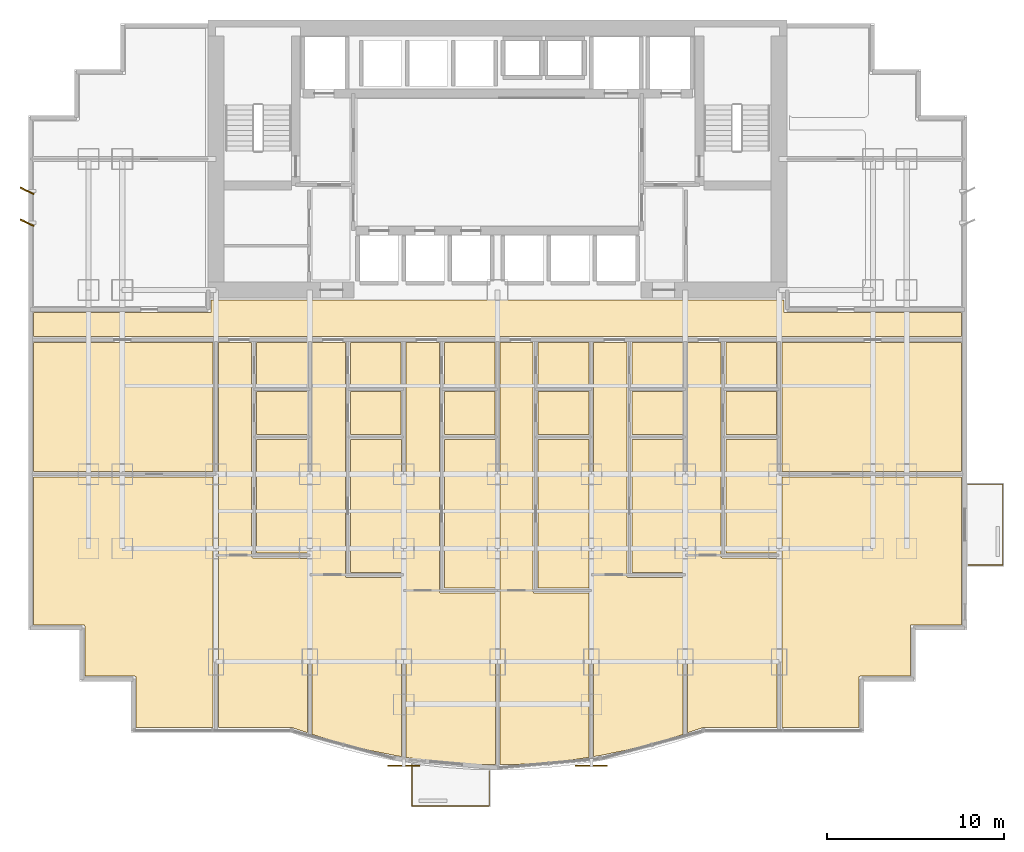
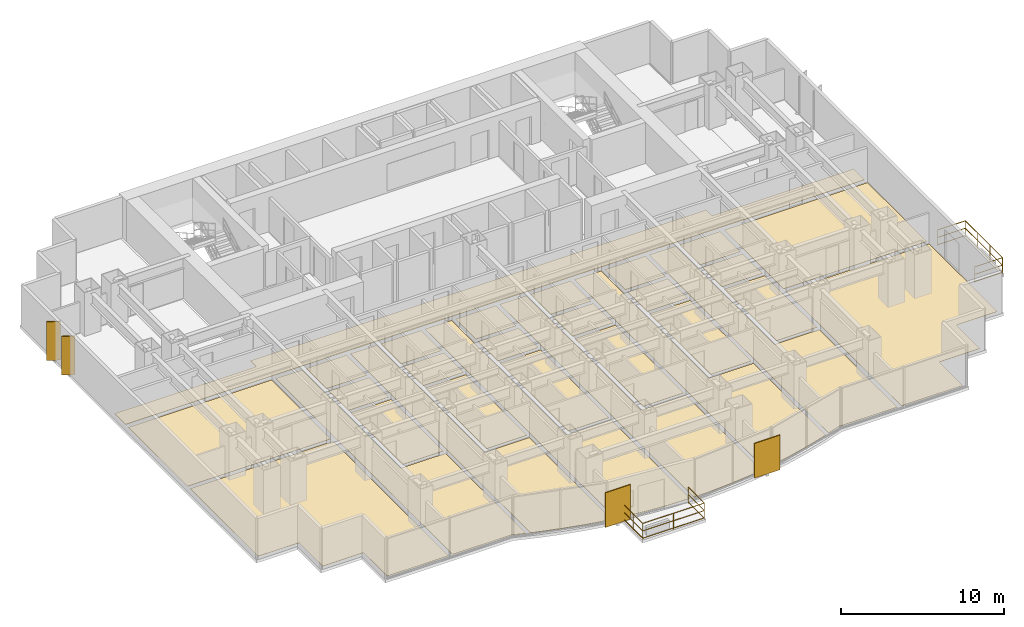
# One storey, part 9 of 10: 29 coverings, 4 shading devices, 2 railings.
"""IFC4 building model written with IfcOpenShell, lengths in metres."""

from ifc_helpers import new_model, si_unit, direction, frame, origin, origin_2d, place, context, subcontext, project, spatial, polyline, rectangle, circle, outline, extrude, source, transform, mapped, material, layer, layer_set, type_object, element, save


model = new_model("IFC4")

# Units and contexts
model_context = context("Model", 3, precision=1e-05, world=origin(), true_north=direction((0.0, 1.0)))
body_context = subcontext(model_context, "Body", "Model", "MODEL_VIEW")
ifc_project = project(units=[si_unit("LENGTHUNIT", "METRE"), si_unit("AREAUNIT", "SQUARE_METRE"), si_unit("VOLUMEUNIT", "CUBIC_METRE"), si_unit("PLANEANGLEUNIT", "RADIAN"), si_unit("MASSUNIT", "GRAM", prefix="KILO")], contexts=[model_context])

# Site, building, storey
site_placement = place(None, origin())
site = spatial("IfcSite", under=ifc_project, at=site_placement, CompositionType="ELEMENT")
building_placement = place(site_placement, origin())
building = spatial("IfcBuilding", under=site, at=building_placement, Name="Qianlan Lanfeng Residences", CompositionType="ELEMENT")
storey_placement = place(building_placement, frame((0.0, 0.0, 30.800048828125)))
storey = spatial("IfcBuildingStorey", under=building, at=storey_placement, Name="L07", CompositionType="ELEMENT", Elevation=30.800048828125)

# Coverings
ifc_material_1 = material(Name="Honed Taitung Granite Stone Flooring", Category="masonry")
ifc_layer_1 = layer(ifc_material_1, 0.030029296875)
ifc_layer_set_1 = layer_set([ifc_layer_1], Name="Honed Taitung Granite Stone Flooring")
covering_type_1 = type_object("IfcCoveringType", Name="FLR-STN-30", PredefinedType="FLOORING", material=ifc_layer_set_1)
covering_1_placement = place(storey_placement, origin())
element("IfcCovering", 1, at=covering_1_placement, inside=storey, type_object=covering_type_1, Name="L07 Residential Corridor Floor Finish", PredefinedType="FLOORING", context=body_context, shape_type="SweptSolid", body=[
    extrude(outline(polyline([(0.2900390625, 22.580078125), (52.7099609375, 22.580078125), (52.7099609375, 23.919921875), (42.739990234375, 23.919921875), (42.73291015625, 23.919921875), (42.72607421875, 23.9208984375), (42.719970703125, 23.923095703125), (42.712890625, 23.925048828125), (42.70703125, 23.927978515625), (42.700927734375, 23.931884765625), (42.696044921875, 23.93603515625), (42.69091796875, 23.94091796875), (42.68603515625, 23.946044921875), (42.681884765625, 23.950927734375), (42.677978515625, 23.95703125), (42.675048828125, 23.962890625), (42.673095703125, 23.969970703125), (42.6708984375, 23.97607421875), (42.669921875, 23.98291015625), (42.669921875, 23.989990234375), (42.669921875, 24.64990234375), (10.330078125, 24.64990234375), (10.330078125, 23.989990234375), (10.330078125, 23.98291015625), (10.3291015625, 23.97607421875), (10.326904296875, 23.969970703125), (10.324951171875, 23.962890625), (10.322021484375, 23.95703125), (10.318115234375, 23.950927734375), (10.31396484375, 23.946044921875), (10.30908203125, 23.94091796875), (10.303955078125, 23.93603515625), (10.299072265625, 23.931884765625), (10.29296875, 23.927978515625), (10.287109375, 23.925048828125), (10.280029296875, 23.923095703125), (10.27392578125, 23.9208984375), (10.26708984375, 23.919921875), (10.260009765625, 23.919921875), (0.2900390625, 23.919921875), (0.2900390625, 22.580078125)])), origin(), (0.0, 0.0, 1.0), 0.030029296875),
])
ifc_material_2 = material(Name="Slip-Resistant Porcelain Tile Flooring")
ifc_layer_2 = layer(ifc_material_2, 0.02001953125)
ifc_layer_set_2 = layer_set([ifc_layer_2], Name="Slip-Resistant Porcelain Tile Flooring")
covering_type_2 = type_object("IfcCoveringType", Name="FLR-TIL-20", PredefinedType="FLOORING", material=ifc_layer_set_2)
covering_2_placement = place(storey_placement, origin())
element("IfcCovering", 2, at=covering_2_placement, inside=storey, type_object=covering_type_2, Name="L07 Kitchen Floor Finish", PredefinedType="FLOORING", context=body_context, shape_type="SweptSolid", body=[
    extrude(outline(polyline([(12.889892578125, 17.0400390625), (15.760009765625, 17.0400390625), (15.760009765625, 19.4599609375), (12.889892578125, 19.4599609375), (12.889892578125, 17.0400390625)])), origin(), (0.0, 0.0, 1.0), 0.02001953125),
])
covering_3_placement = place(storey_placement, origin())
element("IfcCovering", 3, at=covering_3_placement, inside=storey, type_object=covering_type_2, Name="L07 Bathroom Floor Finish", PredefinedType="FLOORING", context=body_context, shape_type="SweptSolid", body=[
    extrude(outline(polyline([(12.889892578125, 19.739990234375), (15.760009765625, 19.739990234375), (15.760009765625, 22.22998046875), (12.889892578125, 22.22998046875), (12.889892578125, 19.739990234375)])), origin(), (0.0, 0.0, 1.0), 0.02001953125),
])
covering_4_placement = place(storey_placement, origin())
element("IfcCovering", 4, at=covering_4_placement, inside=storey, type_object=covering_type_2, Name="L07 Kitchen Floor Finish", PredefinedType="FLOORING", context=body_context, shape_type="SweptSolid", body=[
    extrude(outline(polyline([(18.18994140625, 17.0400390625), (21.06005859375, 17.0400390625), (21.06005859375, 19.4599609375), (18.18994140625, 19.4599609375), (18.18994140625, 17.0400390625)])), origin(), (0.0, 0.0, 1.0), 0.02001953125),
])
covering_5_placement = place(storey_placement, origin())
element("IfcCovering", 5, at=covering_5_placement, inside=storey, type_object=covering_type_2, Name="L07 Bathroom Floor Finish", PredefinedType="FLOORING", context=body_context, shape_type="SweptSolid", body=[
    extrude(outline(polyline([(18.18994140625, 19.739990234375), (21.06005859375, 19.739990234375), (21.06005859375, 22.22998046875), (18.18994140625, 22.22998046875), (18.18994140625, 19.739990234375)])), origin(), (0.0, 0.0, 1.0), 0.02001953125),
])
covering_6_placement = place(storey_placement, origin())
element("IfcCovering", 6, at=covering_6_placement, inside=storey, type_object=covering_type_2, Name="L07 Kitchen Floor Finish", PredefinedType="FLOORING", context=body_context, shape_type="SweptSolid", body=[
    extrude(outline(polyline([(23.489990234375, 17.0400390625), (26.360107421875, 17.0400390625), (26.360107421875, 19.4599609375), (23.489990234375, 19.4599609375), (23.489990234375, 17.0400390625)])), origin(), (0.0, 0.0, 1.0), 0.02001953125),
])
covering_7_placement = place(storey_placement, origin())
element("IfcCovering", 7, at=covering_7_placement, inside=storey, type_object=covering_type_2, Name="L07 Bathroom Floor Finish", PredefinedType="FLOORING", context=body_context, shape_type="SweptSolid", body=[
    extrude(outline(polyline([(23.489990234375, 19.739990234375), (26.360107421875, 19.739990234375), (26.360107421875, 22.22998046875), (23.489990234375, 22.22998046875), (23.489990234375, 19.739990234375)])), origin(), (0.0, 0.0, 1.0), 0.02001953125),
])
covering_8_placement = place(storey_placement, origin())
element("IfcCovering", 8, at=covering_8_placement, inside=storey, type_object=covering_type_2, Name="L07 Kitchen Floor Finish", PredefinedType="FLOORING", context=body_context, shape_type="SweptSolid", body=[
    extrude(outline(polyline([(28.7900390625, 17.0400390625), (31.659912109375, 17.0400390625), (31.659912109375, 19.4599609375), (28.7900390625, 19.4599609375), (28.7900390625, 17.0400390625)])), origin(), (0.0, 0.0, 1.0), 0.02001953125),
])
covering_9_placement = place(storey_placement, origin())
element("IfcCovering", 9, at=covering_9_placement, inside=storey, type_object=covering_type_2, Name="L07 Bathroom Floor Finish", PredefinedType="FLOORING", context=body_context, shape_type="SweptSolid", body=[
    extrude(outline(polyline([(28.7900390625, 19.739990234375), (31.659912109375, 19.739990234375), (31.659912109375, 22.22998046875), (28.7900390625, 22.22998046875), (28.7900390625, 19.739990234375)])), origin(), (0.0, 0.0, 1.0), 0.02001953125),
])
covering_10_placement = place(storey_placement, origin())
element("IfcCovering", 10, at=covering_10_placement, inside=storey, type_object=covering_type_2, Name="L07 Kitchen Floor Finish", PredefinedType="FLOORING", context=body_context, shape_type="SweptSolid", body=[
    extrude(outline(polyline([(34.090087890625, 17.0400390625), (36.9599609375, 17.0400390625), (36.9599609375, 19.4599609375), (34.090087890625, 19.4599609375), (34.090087890625, 17.0400390625)])), origin(), (0.0, 0.0, 1.0), 0.02001953125),
])
covering_11_placement = place(storey_placement, origin())
element("IfcCovering", 11, at=covering_11_placement, inside=storey, type_object=covering_type_2, Name="L07 Bathroom Floor Finish", PredefinedType="FLOORING", context=body_context, shape_type="SweptSolid", body=[
    extrude(outline(polyline([(34.090087890625, 19.739990234375), (36.9599609375, 19.739990234375), (36.9599609375, 22.22998046875), (34.090087890625, 22.22998046875), (34.090087890625, 19.739990234375)])), origin(), (0.0, 0.0, 1.0), 0.02001953125),
])
covering_12_placement = place(storey_placement, origin())
element("IfcCovering", 12, at=covering_12_placement, inside=storey, type_object=covering_type_2, Name="L07 Kitchen Floor Finish", PredefinedType="FLOORING", context=body_context, shape_type="SweptSolid", body=[
    extrude(outline(polyline([(39.389892578125, 17.0400390625), (42.260009765625, 17.0400390625), (42.260009765625, 19.4599609375), (39.389892578125, 19.4599609375), (39.389892578125, 17.0400390625)])), origin(), (0.0, 0.0, 1.0), 0.02001953125),
])
covering_13_placement = place(storey_placement, origin())
element("IfcCovering", 13, at=covering_13_placement, inside=storey, type_object=covering_type_2, Name="L07 Bathroom Floor Finish", PredefinedType="FLOORING", context=body_context, shape_type="SweptSolid", body=[
    extrude(outline(polyline([(39.389892578125, 19.739990234375), (42.260009765625, 19.739990234375), (42.260009765625, 22.22998046875), (39.389892578125, 22.22998046875), (39.389892578125, 19.739990234375)])), origin(), (0.0, 0.0, 1.0), 0.02001953125),
])
ifc_material_3 = material(Name="Engineered Smoked Oak Timber Flooring", Category="wood")
ifc_layer_3 = layer(ifc_material_3, 0.02197265625)
ifc_layer_set_3 = layer_set([ifc_layer_3], Name="Engineered Smoked Oak Timber Flooring")
covering_type_3 = type_object("IfcCoveringType", Name="FLR-TIM-22", PredefinedType="FLOORING", material=ifc_layer_set_3)
covering_14_placement = place(storey_placement, origin())
element("IfcCovering", 14, at=covering_14_placement, inside=storey, type_object=covering_type_3, Name="L07 Studio Living Room Floor Finish", PredefinedType="FLOORING", context=body_context, shape_type="SweptSolid", body=[
    extrude(outline(polyline([(15.77001953125, 0.195068359375), (15.77001953125, 10.080078125), (12.679931640625, 10.080078125), (12.673095703125, 10.080078125), (12.666015625, 10.0810546875), (12.659912109375, 10.0830078125), (12.653076171875, 10.0849609375), (12.64697265625, 10.087890625), (12.64111328125, 10.092041015625), (12.635986328125, 10.095947265625), (12.631103515625, 10.10107421875), (12.6259765625, 10.10595703125), (12.6220703125, 10.111083984375), (12.617919921875, 10.116943359375), (12.614990234375, 10.123046875), (12.613037109375, 10.1298828125), (12.611083984375, 10.135986328125), (12.610107421875, 10.14306640625), (12.610107421875, 10.14990234375), (12.610107421875, 22.22998046875), (10.72998046875, 22.22998046875), (10.72998046875, 0.489990234375), (14.885986328125, 0.489990234375), (14.89404296875, 0.489990234375), (14.90087890625, 0.488037109375), (14.908935546875, 0.486083984375), (15.77001953125, 0.195068359375)])), origin(), (0.0, 0.0, 1.0), 0.02197265625),
])
covering_15_placement = place(storey_placement, origin())
element("IfcCovering", 15, at=covering_15_placement, inside=storey, type_object=covering_type_3, Name="L07 Villa Family Sitting Room Floor Finish", PredefinedType="FLOORING", context=body_context, shape_type="SweptSolid", body=[
    extrude(outline(polyline([(12.889892578125, 16.760009765625), (12.889892578125, 10.360107421875), (15.77001953125, 10.360107421875), (15.77001953125, 16.760009765625), (12.889892578125, 16.760009765625)])), origin(), (0.0, 0.0, 1.0), 0.02197265625),
])
covering_16_placement = place(storey_placement, origin())
element("IfcCovering", 16, at=covering_16_placement, inside=storey, type_object=covering_type_3, Name="L07 Studio Living Room Floor Finish", PredefinedType="FLOORING", context=body_context, shape_type="SweptSolid", body=[
    extrude(outline(polyline([(21.070068359375, -1.14404296875), (21.070068359375, 8.971923828125), (17.97998046875, 8.971923828125), (17.972900390625, 8.971923828125), (17.966064453125, 8.972900390625), (17.9599609375, 8.97509765625), (17.952880859375, 8.97705078125), (17.947021484375, 8.97998046875), (17.94091796875, 8.98388671875), (17.93603515625, 8.988037109375), (17.930908203125, 8.992919921875), (17.926025390625, 8.998046875), (17.922119140625, 9.0029296875), (17.91796875, 9.009033203125), (17.9150390625, 9.014892578125), (17.9130859375, 9.02197265625), (17.910888671875, 9.028076171875), (17.909912109375, 9.034912109375), (17.909912109375, 9.0419921875), (17.909912109375, 22.22998046875), (16.030029296875, 22.22998046875), (16.030029296875, 0.10693359375), (16.39306640625, -0.014892578125), (17.837890625, -0.43896484375), (19.282958984375, -0.797119140625), (20.72607421875, -1.090087890625), (21.070068359375, -1.14404296875)])), origin(), (0.0, 0.0, 1.0), 0.02197265625),
])
covering_17_placement = place(storey_placement, origin())
element("IfcCovering", 17, at=covering_17_placement, inside=storey, type_object=covering_type_3, Name="L07 Villa Family Sitting Room Floor Finish", PredefinedType="FLOORING", context=body_context, shape_type="SweptSolid", body=[
    extrude(outline(polyline([(18.18994140625, 16.760009765625), (18.18994140625, 9.251953125), (21.070068359375, 9.251953125), (21.070068359375, 16.760009765625), (18.18994140625, 16.760009765625)])), origin(), (0.0, 0.0, 1.0), 0.02197265625),
])
covering_18_placement = place(storey_placement, origin())
element("IfcCovering", 18, at=covering_18_placement, inside=storey, type_object=covering_type_3, Name="L07 Studio Living Room Floor Finish", PredefinedType="FLOORING", context=body_context, shape_type="SweptSolid", body=[
    extrude(outline(polyline([(26.3701171875, -1.60693359375), (26.3701171875, 8.093994140625), (23.280029296875, 8.093994140625), (23.27294921875, 8.093994140625), (23.26611328125, 8.094970703125), (23.260009765625, 8.096923828125), (23.2529296875, 8.09912109375), (23.2470703125, 8.10205078125), (23.240966796875, 8.10595703125), (23.236083984375, 8.110107421875), (23.23095703125, 8.114990234375), (23.22607421875, 8.1201171875), (23.221923828125, 8.125), (23.218017578125, 8.131103515625), (23.215087890625, 8.136962890625), (23.212890625, 8.14404296875), (23.2109375, 8.14990234375), (23.2099609375, 8.156982421875), (23.2099609375, 8.1640625), (23.2099609375, 22.22998046875), (21.330078125, 22.22998046875), (21.330078125, -1.18505859375), (22.169921875, -1.318115234375), (23.613037109375, -1.47998046875), (25.056884765625, -1.576904296875), (26.3701171875, -1.60693359375)])), origin(), (0.0, 0.0, 1.0), 0.02197265625),
])
covering_19_placement = place(storey_placement, origin())
element("IfcCovering", 19, at=covering_19_placement, inside=storey, type_object=covering_type_3, Name="L07 Villa Family Sitting Room Floor Finish", PredefinedType="FLOORING", context=body_context, shape_type="SweptSolid", body=[
    extrude(outline(polyline([(23.489990234375, 16.760009765625), (23.489990234375, 8.3740234375), (26.3701171875, 8.3740234375), (26.3701171875, 16.760009765625), (23.489990234375, 16.760009765625)])), origin(), (0.0, 0.0, 1.0), 0.02197265625),
])
covering_20_placement = place(storey_placement, origin())
element("IfcCovering", 20, at=covering_20_placement, inside=storey, type_object=covering_type_3, Name="L07 Studio Living Room Floor Finish", PredefinedType="FLOORING", context=body_context, shape_type="SweptSolid", body=[
    extrude(outline(polyline([(31.669921875, -1.18505859375), (31.669921875, 8.093994140625), (28.580078125, 8.093994140625), (28.572998046875, 8.093994140625), (28.56591796875, 8.094970703125), (28.56005859375, 8.096923828125), (28.552978515625, 8.09912109375), (28.547119140625, 8.10205078125), (28.541015625, 8.10595703125), (28.535888671875, 8.110107421875), (28.531005859375, 8.114990234375), (28.52587890625, 8.1201171875), (28.52197265625, 8.125), (28.51806640625, 8.131103515625), (28.514892578125, 8.136962890625), (28.512939453125, 8.14404296875), (28.510986328125, 8.14990234375), (28.510009765625, 8.156982421875), (28.510009765625, 8.1640625), (28.510009765625, 22.22998046875), (26.6298828125, 22.22998046875), (26.6298828125, -1.60693359375), (27.943115234375, -1.576904296875), (29.385986328125, -1.47998046875), (30.830078125, -1.318115234375), (31.669921875, -1.18505859375)])), origin(), (0.0, 0.0, 1.0), 0.02197265625),
])
covering_21_placement = place(storey_placement, origin())
element("IfcCovering", 21, at=covering_21_placement, inside=storey, type_object=covering_type_3, Name="L07 Villa Family Sitting Room Floor Finish", PredefinedType="FLOORING", context=body_context, shape_type="SweptSolid", body=[
    extrude(outline(polyline([(28.7900390625, 16.760009765625), (28.7900390625, 8.3740234375), (31.669921875, 8.3740234375), (31.669921875, 16.760009765625), (28.7900390625, 16.760009765625)])), origin(), (0.0, 0.0, 1.0), 0.02197265625),
])
covering_22_placement = place(storey_placement, origin())
element("IfcCovering", 22, at=covering_22_placement, inside=storey, type_object=covering_type_3, Name="L07 Studio Living Room Floor Finish", PredefinedType="FLOORING", context=body_context, shape_type="SweptSolid", body=[
    extrude(outline(polyline([(36.969970703125, 0.10693359375), (36.969970703125, 8.972900390625), (33.8798828125, 8.972900390625), (33.873046875, 8.972900390625), (33.865966796875, 8.97412109375), (33.860107421875, 8.97607421875), (33.85302734375, 8.97802734375), (33.846923828125, 8.98095703125), (33.841064453125, 8.985107421875), (33.8359375, 8.989013671875), (33.8310546875, 8.993896484375), (33.825927734375, 8.9990234375), (33.822021484375, 9.00390625), (33.818115234375, 9.010009765625), (33.81494140625, 9.01611328125), (33.81298828125, 9.02294921875), (33.81103515625, 9.029052734375), (33.81005859375, 9.035888671875), (33.81005859375, 9.04296875), (33.81005859375, 22.22998046875), (31.929931640625, 22.22998046875), (31.929931640625, -1.14404296875), (32.27392578125, -1.090087890625), (33.717041015625, -0.797119140625), (35.160888671875, -0.43896484375), (36.60693359375, -0.014892578125), (36.969970703125, 0.10693359375)])), origin(), (0.0, 0.0, 1.0), 0.02197265625),
])
covering_23_placement = place(storey_placement, origin())
element("IfcCovering", 23, at=covering_23_placement, inside=storey, type_object=covering_type_3, Name="L07 Villa Family Sitting Room Floor Finish", PredefinedType="FLOORING", context=body_context, shape_type="SweptSolid", body=[
    extrude(outline(polyline([(34.090087890625, 16.760009765625), (34.090087890625, 9.2529296875), (36.969970703125, 9.2529296875), (36.969970703125, 16.760009765625), (34.090087890625, 16.760009765625)])), origin(), (0.0, 0.0, 1.0), 0.02197265625),
])
covering_24_placement = place(storey_placement, origin())
element("IfcCovering", 24, at=covering_24_placement, inside=storey, type_object=covering_type_3, Name="L07 Studio Living Room Floor Finish", PredefinedType="FLOORING", context=body_context, shape_type="SweptSolid", body=[
    extrude(outline(polyline([(42.27001953125, 0.489990234375), (42.27001953125, 10.080078125), (39.179931640625, 10.080078125), (39.173095703125, 10.080078125), (39.166015625, 10.0810546875), (39.159912109375, 10.0830078125), (39.153076171875, 10.0849609375), (39.14697265625, 10.087890625), (39.14111328125, 10.092041015625), (39.135986328125, 10.095947265625), (39.131103515625, 10.10107421875), (39.1259765625, 10.10595703125), (39.1220703125, 10.111083984375), (39.117919921875, 10.116943359375), (39.114990234375, 10.123046875), (39.113037109375, 10.1298828125), (39.111083984375, 10.135986328125), (39.110107421875, 10.14306640625), (39.110107421875, 10.14990234375), (39.110107421875, 22.22998046875), (37.22998046875, 22.22998046875), (37.22998046875, 0.195068359375), (38.091064453125, 0.486083984375), (38.09912109375, 0.488037109375), (38.10595703125, 0.489990234375), (38.114013671875, 0.489990234375), (42.27001953125, 0.489990234375)])), origin(), (0.0, 0.0, 1.0), 0.02197265625),
])
covering_25_placement = place(storey_placement, origin())
element("IfcCovering", 25, at=covering_25_placement, inside=storey, type_object=covering_type_3, Name="L07 Villa Family Sitting Room Floor Finish", PredefinedType="FLOORING", context=body_context, shape_type="SweptSolid", body=[
    extrude(outline(polyline([(39.389892578125, 16.760009765625), (39.389892578125, 10.360107421875), (42.27001953125, 10.360107421875), (42.27001953125, 16.760009765625), (39.389892578125, 16.760009765625)])), origin(), (0.0, 0.0, 1.0), 0.02197265625),
])
covering_26_placement = place(storey_placement, origin())
element("IfcCovering", 26, at=covering_26_placement, inside=storey, type_object=covering_type_3, Name="L07 Sunroom Floor Finish", PredefinedType="FLOORING", context=body_context, shape_type="SweptSolid", body=[
    extrude(outline(polyline([(10.43994140625, 14.64990234375), (0.2900390625, 14.64990234375), (0.2900390625, 6.2900390625), (3.1201171875, 6.2900390625), (3.126953125, 6.2900390625), (3.134033203125, 6.2890625), (3.139892578125, 6.287109375), (3.14697265625, 6.284912109375), (3.153076171875, 6.281982421875), (3.158935546875, 6.278076171875), (3.1640625, 6.27392578125), (3.1689453125, 6.26904296875), (3.174072265625, 6.263916015625), (3.177978515625, 6.259033203125), (3.181884765625, 6.2529296875), (3.18505859375, 6.2470703125), (3.18701171875, 6.239990234375), (3.18896484375, 6.23388671875), (3.18994140625, 6.22705078125), (3.18994140625, 6.219970703125), (3.18994140625, 3.389892578125), (6.02001953125, 3.389892578125), (6.027099609375, 3.389892578125), (6.033935546875, 3.388916015625), (6.0400390625, 3.386962890625), (6.047119140625, 3.385009765625), (6.052978515625, 3.382080078125), (6.05908203125, 3.3779296875), (6.06396484375, 3.3740234375), (6.069091796875, 3.368896484375), (6.073974609375, 3.364013671875), (6.077880859375, 3.35888671875), (6.08203125, 3.35302734375), (6.0849609375, 3.346923828125), (6.0869140625, 3.340087890625), (6.089111328125, 3.333984375), (6.090087890625, 3.326904296875), (6.090087890625, 3.320068359375), (6.090087890625, 0.489990234375), (10.43994140625, 0.489990234375), (10.43994140625, 14.64990234375)])), origin(), (0.0, 0.0, 1.0), 0.02197265625),
])
covering_27_placement = place(storey_placement, origin())
element("IfcCovering", 27, at=covering_27_placement, inside=storey, type_object=covering_type_3, Name="L07 Family Sitting Room Floor Finish", PredefinedType="FLOORING", context=body_context, shape_type="SweptSolid", body=[
    extrude(outline(polyline([(10.43994140625, 22.22998046875), (0.2900390625, 22.22998046875), (0.2900390625, 14.949951171875), (10.43994140625, 14.949951171875), (10.43994140625, 22.22998046875)])), origin(), (0.0, 0.0, 1.0), 0.02197265625),
])
covering_28_placement = place(storey_placement, origin())
element("IfcCovering", 28, at=covering_28_placement, inside=storey, type_object=covering_type_3, Name="L07 Sunroom Floor Finish", PredefinedType="FLOORING", context=body_context, shape_type="SweptSolid", body=[
    extrude(outline(polyline([(52.7099609375, 14.64990234375), (42.56005859375, 14.64990234375), (42.56005859375, 0.489990234375), (46.909912109375, 0.489990234375), (46.909912109375, 3.320068359375), (46.909912109375, 3.326904296875), (46.910888671875, 3.333984375), (46.9130859375, 3.340087890625), (46.9150390625, 3.346923828125), (46.91796875, 3.35302734375), (46.922119140625, 3.35888671875), (46.926025390625, 3.364013671875), (46.930908203125, 3.368896484375), (46.93603515625, 3.3740234375), (46.94091796875, 3.3779296875), (46.947021484375, 3.382080078125), (46.952880859375, 3.385009765625), (46.9599609375, 3.386962890625), (46.966064453125, 3.388916015625), (46.972900390625, 3.389892578125), (46.97998046875, 3.389892578125), (49.81005859375, 3.389892578125), (49.81005859375, 6.219970703125), (49.81005859375, 6.22705078125), (49.81103515625, 6.23388671875), (49.81298828125, 6.239990234375), (49.81494140625, 6.2470703125), (49.818115234375, 6.2529296875), (49.822021484375, 6.259033203125), (49.825927734375, 6.263916015625), (49.8310546875, 6.26904296875), (49.8359375, 6.27392578125), (49.841064453125, 6.278076171875), (49.846923828125, 6.281982421875), (49.85302734375, 6.284912109375), (49.860107421875, 6.287109375), (49.865966796875, 6.2890625), (49.873046875, 6.2900390625), (49.8798828125, 6.2900390625), (52.7099609375, 6.2900390625), (52.7099609375, 14.64990234375)])), origin(), (0.0, 0.0, 1.0), 0.02197265625),
])
covering_29_placement = place(storey_placement, origin())
element("IfcCovering", 29, at=covering_29_placement, inside=storey, type_object=covering_type_3, Name="L07 Private Study Floor Finish", PredefinedType="FLOORING", context=body_context, shape_type="SweptSolid", body=[
    extrude(outline(polyline([(52.7099609375, 22.22998046875), (42.56005859375, 22.22998046875), (42.56005859375, 14.949951171875), (52.7099609375, 14.949951171875), (52.7099609375, 22.22998046875)])), origin(), (0.0, 0.0, 1.0), 0.02197265625),
])

# Railings
ifc_material_4 = material(Name="Anodised Bronze Aluminium and Laminated Glass Guard Balustrade", Category="aluminium")
railing_type = type_object("IfcRailingType", Name="GR-EXT-1220", PredefinedType="BALUSTRADE", material=ifc_material_4)
railing_1_placement = place(storey_placement, frame((26.030029296875, -1.958984375, 0.0)))
element("IfcRailing", 30, at=railing_1_placement, inside=storey, type_object=railing_type, Name="L07 Terrace Safety Guard GR-L07-SB-C", PredefinedType="BALUSTRADE", context=body_context, shape_type="SweptSolid", body=[
    extrude(circle(Radius=0.02490234375, at=origin_2d()), frame((0.0, 0.0, 0.0849609375), z_axis=(0.0, -1.0, 0.0), x_axis=(1.0, 0.0, 0.0)), (0.0, 0.0, 1.0), 1.970947265625),
    extrude(circle(Radius=0.02490234375, at=origin_2d()), frame((0.0, 0.0, 0.63427734375), z_axis=(0.0, -1.0, 0.0), x_axis=(1.0, 0.0, 0.0)), (0.0, 0.0, 1.0), 1.970947265625),
    extrude(circle(Radius=0.02490234375, at=origin_2d()), frame((0.0, 0.0, 1.19482421875), z_axis=(0.0, -1.0, 0.0), x_axis=(1.0, 0.0, 0.0)), (0.0, 0.0, 1.0), 1.970947265625),
    extrude(circle(Radius=0.02490234375, at=origin_2d()), frame((0.0, -1.970947265625, 0.0849609375), z_axis=(-1.0, 0.0, 0.0), x_axis=(0.0, -1.0, 0.0)), (0.0, 0.0, 1.0), 4.360107421875),
    extrude(circle(Radius=0.02490234375, at=origin_2d()), frame((0.0, -1.970947265625, 0.63427734375), z_axis=(-1.0, 0.0, 0.0), x_axis=(0.0, -1.0, 0.0)), (0.0, 0.0, 1.0), 4.360107421875),
    extrude(circle(Radius=0.02490234375, at=origin_2d()), frame((0.0, -1.970947265625, 1.19482421875), z_axis=(-1.0, 0.0, 0.0), x_axis=(0.0, -1.0, 0.0)), (0.0, 0.0, 1.0), 4.360107421875),
    extrude(circle(Radius=0.02490234375, at=origin_2d()), frame((-4.360107421875, -1.970947265625, 0.0849609375), z_axis=(0.0, 1.0, 0.0), x_axis=(-1.0, 0.0, 0.0)), (0.0, 0.0, 1.0), 2.326904296875),
    extrude(circle(Radius=0.02490234375, at=origin_2d()), frame((-4.360107421875, -1.970947265625, 0.63427734375), z_axis=(0.0, 1.0, 0.0), x_axis=(-1.0, 0.0, 0.0)), (0.0, 0.0, 1.0), 2.326904296875),
    extrude(circle(Radius=0.02490234375, at=origin_2d()), frame((-4.360107421875, -1.970947265625, 1.19482421875), z_axis=(0.0, 1.0, 0.0), x_axis=(-1.0, 0.0, 0.0)), (0.0, 0.0, 1.0), 2.326904296875),
    extrude(circle(Radius=0.02099609375, at=origin_2d()), origin(), (0.0, 0.0, 1.0), 1.169921875),
    extrude(circle(Radius=0.02099609375, at=origin_2d()), frame((0.0, -1.970947265625, 0.0)), (0.0, 0.0, 1.0), 1.169921875),
    extrude(circle(Radius=0.02099609375, at=origin_2d()), frame((-2.18017578125, -1.970947265625, 0.0)), (0.0, 0.0, 1.0), 1.169921875),
    extrude(circle(Radius=0.02099609375, at=origin_2d()), frame((-4.360107421875, -1.970947265625, 0.0)), (0.0, 0.0, 1.0), 1.169921875),
    extrude(circle(Radius=0.02099609375, at=origin_2d()), frame((-4.360107421875, -0.8076171875, 0.0)), (0.0, 0.0, 1.0), 1.169921875),
    extrude(circle(Radius=0.02099609375, at=origin_2d()), frame((-4.360107421875, 0.35595703125, 0.0)), (0.0, 0.0, 1.0), 1.169921875),
])
railing_2_placement = place(storey_placement, frame((53.070068359375, 14.22998046875, 0.0)))
element("IfcRailing", 31, at=railing_2_placement, inside=storey, type_object=railing_type, Name="L07 Terrace Safety Guard GR-L07-EB-S", PredefinedType="BALUSTRADE", context=body_context, shape_type="SweptSolid", body=[
    extrude(circle(Radius=0.02490234375, at=origin_2d()), frame((0.0, 0.0, 0.0849609375), z_axis=(1.0, 0.0, 0.0), x_axis=(0.0, 1.0, 0.0)), (0.0, 0.0, 1.0), 1.9599609375),
    extrude(circle(Radius=0.02490234375, at=origin_2d()), frame((0.0, 0.0, 0.63427734375), z_axis=(1.0, 0.0, 0.0), x_axis=(0.0, 1.0, 0.0)), (0.0, 0.0, 1.0), 1.9599609375),
    extrude(circle(Radius=0.02490234375, at=origin_2d()), frame((0.0, 0.0, 1.19482421875), z_axis=(1.0, 0.0, 0.0), x_axis=(0.0, 1.0, 0.0)), (0.0, 0.0, 1.0), 1.9599609375),
    extrude(circle(Radius=0.02490234375, at=origin_2d()), frame((1.9599609375, 0.0, 0.0849609375), z_axis=(0.0, -1.0, 0.0), x_axis=(1.0, 0.0, 0.0)), (0.0, 0.0, 1.0), 4.56005859375),
    extrude(circle(Radius=0.02490234375, at=origin_2d()), frame((1.9599609375, 0.0, 0.63427734375), z_axis=(0.0, -1.0, 0.0), x_axis=(1.0, 0.0, 0.0)), (0.0, 0.0, 1.0), 4.56005859375),
    extrude(circle(Radius=0.02490234375, at=origin_2d()), frame((1.9599609375, 0.0, 1.19482421875), z_axis=(0.0, -1.0, 0.0), x_axis=(1.0, 0.0, 0.0)), (0.0, 0.0, 1.0), 4.56005859375),
    extrude(circle(Radius=0.02490234375, at=origin_2d()), frame((1.9599609375, -4.56005859375, 0.0849609375), z_axis=(-1.0, 0.0, 0.0), x_axis=(0.0, -1.0, 0.0)), (0.0, 0.0, 1.0), 1.9599609375),
    extrude(circle(Radius=0.02490234375, at=origin_2d()), frame((1.9599609375, -4.56005859375, 0.63427734375), z_axis=(-1.0, 0.0, 0.0), x_axis=(0.0, -1.0, 0.0)), (0.0, 0.0, 1.0), 1.9599609375),
    extrude(circle(Radius=0.02490234375, at=origin_2d()), frame((1.9599609375, -4.56005859375, 1.19482421875), z_axis=(-1.0, 0.0, 0.0), x_axis=(0.0, -1.0, 0.0)), (0.0, 0.0, 1.0), 1.9599609375),
    extrude(circle(Radius=0.02099609375, at=origin_2d()), origin(), (0.0, 0.0, 1.0), 1.169921875),
    extrude(circle(Radius=0.02099609375, at=origin_2d()), frame((1.9599609375, 0.0, 0.0)), (0.0, 0.0, 1.0), 1.169921875),
    extrude(circle(Radius=0.02099609375, at=origin_2d()), frame((1.9599609375, -1.52001953125, 0.0)), (0.0, 0.0, 1.0), 1.169921875),
    extrude(circle(Radius=0.02099609375, at=origin_2d()), frame((1.9599609375, -3.0400390625, 0.0)), (0.0, 0.0, 1.0), 1.169921875),
    extrude(circle(Radius=0.02099609375, at=origin_2d()), frame((1.9599609375, -4.56005859375, 0.0)), (0.0, 0.0, 1.0), 1.169921875),
    extrude(circle(Radius=0.02099609375, at=origin_2d()), frame((0.0, -4.56005859375, 0.0)), (0.0, 0.0, 1.0), 1.169921875),
])

# Shading devices
ifc_material_5 = material(Name="Perforated Bronze Aluminium Solar Screen", Category="aluminium")
shading_device_type_1 = type_object("IfcShadingDeviceType", Name="SCR-BRZ-1800", PredefinedType="JALOUSIE", material=ifc_material_5)
shared_shape_1 = source(origin(), body_context, "Body", "SweptSolid", [
    extrude(rectangle(XDim=1.800048828125, YDim=0.06005859375, at=origin_2d()), origin(), (0.0, 0.0, 1.0), 2.60009765625),
])
for number, where, z_axis, x_axis, name in (
    (32, (21.199951171875, -1.659912109375, 0.0), (0.0, 0.0, 1.0), (1.0, 0.0, 0.0), "L07 Perforated Bronze Solar Screen 1"),
    (33, (31.800048828125, -1.659912109375, 0.0), (0.0, 0.0, 1.0), (1.0, 0.0, 0.0), "L07 Perforated Bronze Solar Screen 2"),
):
    element("IfcShadingDevice", number, at=place(storey_placement, frame(where, z_axis=z_axis, x_axis=x_axis)), inside=storey, type_object=shading_device_type_1, Name=name, PredefinedType="JALOUSIE", context=body_context, shape_type="MappedRepresentation", body=[
        mapped(shared_shape_1, transform((0.0, 0.0, 0.0), scale=1.0)),
    ])
ifc_material_6 = material(Name="Anodised Bronze Aluminium Solar Fin", Category="aluminium")
shading_device_type_2 = type_object("IfcShadingDeviceType", Name="FIN-BRZ-850", PredefinedType="SHUTTER", material=ifc_material_6)
shared_shape_2 = source(origin(), body_context, "Body", "SweptSolid", [
    extrude(rectangle(XDim=0.85009765625, YDim=0.080078125, at=origin_2d()), origin(), (0.0, 0.0, 1.0), 2.89990234375),
])
for number, where, z_axis, x_axis, name in (
    (34, (-0.070068359375, 29.0, 0.0), (0.0, 0.0, 1.0), (0.898794046299, -0.438371146789, 0.0), "L07 Raked Bronze Solar Fin W1"),
    (35, (-0.070068359375, 30.800048828125, 0.0), (0.0, 0.0, 1.0), (0.898794046299, -0.438371146789, 0.0), "L07 Raked Bronze Solar Fin W2"),
):
    element("IfcShadingDevice", number, at=place(storey_placement, frame(where, z_axis=z_axis, x_axis=x_axis)), inside=storey, type_object=shading_device_type_2, Name=name, PredefinedType="SHUTTER", context=body_context, shape_type="MappedRepresentation", body=[
        mapped(shared_shape_2, transform((0.0, 0.0, 0.0), scale=1.0)),
    ])

save(model, "model.ifc")
